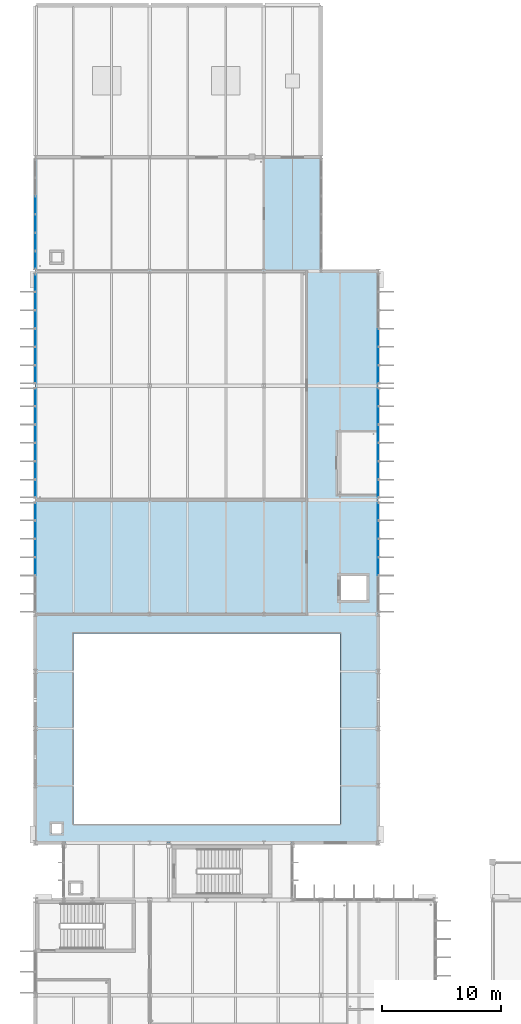
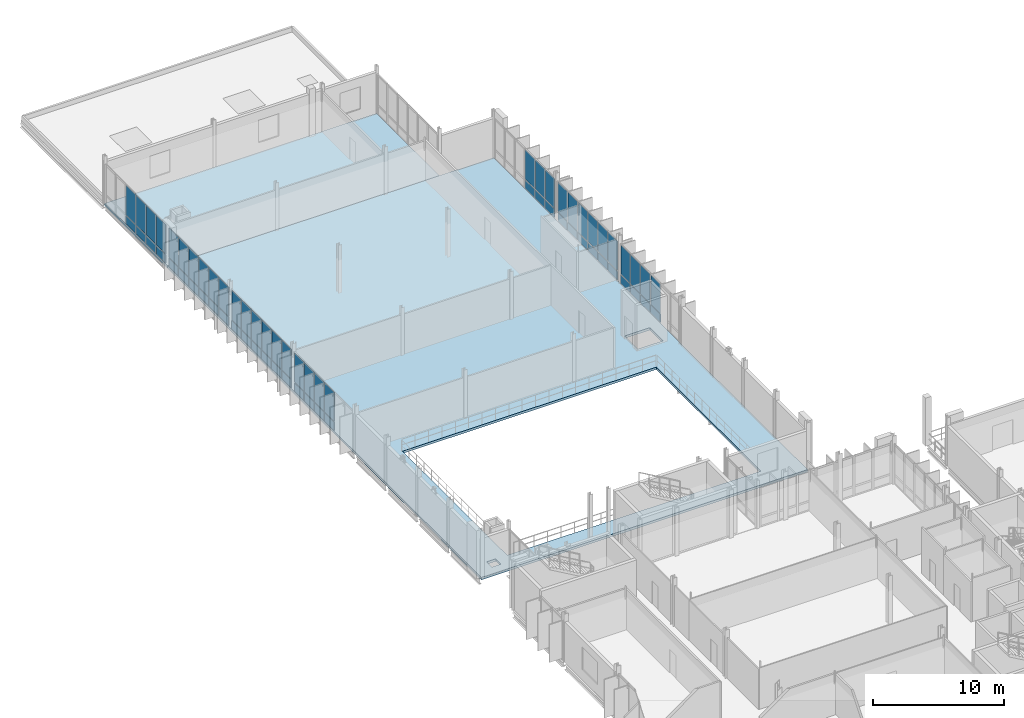
# One storey, part 51 of 107: 66 plates, 2 slabs, 7 elements without a shape of their own.
"""IFC4 building model written with IfcOpenShell, lengths in metres."""

from ifc_helpers import new_model, si_unit, direction, frame, origin, origin_2d, place, context, subcontext, project, spatial, polyline, rectangle, outline, extrude, material, layer, layer_set, type_object, element, aggregate, save


model = new_model("IFC4")

# Units and contexts
model_context = context("Model", 3, precision=1e-05, world=origin(), true_north=direction((0.0, 1.0)))
body_context = subcontext(model_context, "Body", "Model", "MODEL_VIEW")
ifc_project = project(units=[si_unit("LENGTHUNIT", "METRE"), si_unit("AREAUNIT", "SQUARE_METRE"), si_unit("VOLUMEUNIT", "CUBIC_METRE"), si_unit("PLANEANGLEUNIT", "RADIAN"), si_unit("MASSUNIT", "GRAM", prefix="KILO")], contexts=[model_context])

# Site, building, storey
site_placement = place(None, origin())
site = spatial("IfcSite", under=ifc_project, at=site_placement, CompositionType="ELEMENT")
building_placement = place(site_placement, origin())
building = spatial("IfcBuilding", under=site, at=building_placement, Name="Dunescarp Central Library", CompositionType="ELEMENT")
storey_placement = place(building_placement, frame((0.0, 0.0, 5.10009765625)))
storey = spatial("IfcBuildingStorey", under=building, at=storey_placement, Name="L01", CompositionType="ELEMENT", Elevation=5.10009765625)

# Curtain wall, plates
ifc_material_1 = material(Name="Marine-grade anodised aluminium 6063-T6", Category="aluminium")
curtain_wall_type = type_object("IfcCurtainWallType", Name="ARC-CW-STICK", PredefinedType="NOTDEFINED", material=ifc_material_1)
curtain_wall_1_placement = place(storey_placement, origin())
curtain_wall_1 = element("IfcCurtainWall", 1, at=curtain_wall_1_placement, inside=storey, type_object=curtain_wall_type, Name="L01 curtain wall CW-V4-118", PredefinedType="NOTDEFINED")
ifc_material_2 = material(Name="Solar-control laminated double glazing", Category="glass")
ifc_layer_1 = layer(ifc_material_2, 0.028076171875)
ifc_layer_set_1 = layer_set([ifc_layer_1], Name="Solar-control laminated double glazing")
plate_type_1 = type_object("IfcPlateType", Name="ARC-PLT-GLZ28", PredefinedType="CURTAIN_PANEL", material=ifc_layer_set_1)
plate_1_placement = place(storey_placement, frame((0.0, 64.8291015625, 0.93994140625), z_axis=(0.0, 0.0, 1.0), x_axis=(0.0, 1.0, 0.0)))
plate_1 = element("IfcPlate", 2, at=plate_1_placement, type_object=plate_type_1, Name="CW-V4-118 panel 3.2", PredefinedType="CURTAIN_PANEL", context=body_context, shape_type="SweptSolid", body=[
    extrude(rectangle(XDim=1.461669921875, YDim=0.028076171875, at=origin_2d()), origin(), (0.0, 0.0, 1.0), 2.7119140625),
])
plate_2_placement = place(storey_placement, frame((0.0, 66.370849609375, 0.93994140625), z_axis=(0.0, 0.0, 1.0), x_axis=(0.0, 1.0, 0.0)))
plate_2 = element("IfcPlate", 3, at=plate_2_placement, type_object=plate_type_1, Name="CW-V4-118 panel 4.2", PredefinedType="CURTAIN_PANEL", context=body_context, shape_type="SweptSolid", body=[
    extrude(rectangle(XDim=1.461669921875, YDim=0.028076171875, at=origin_2d()), origin(), (0.0, 0.0, 1.0), 2.7119140625),
])
plate_3_placement = place(storey_placement, frame((0.0, 67.91259765625, 0.93994140625), z_axis=(0.0, 0.0, 1.0), x_axis=(0.0, 1.0, 0.0)))
plate_3 = element("IfcPlate", 4, at=plate_3_placement, type_object=plate_type_1, Name="CW-V4-118 panel 5.2", PredefinedType="CURTAIN_PANEL", context=body_context, shape_type="SweptSolid", body=[
    extrude(rectangle(XDim=1.461669921875, YDim=0.028076171875, at=origin_2d()), origin(), (0.0, 0.0, 1.0), 2.7119140625),
])
plate_4_placement = place(storey_placement, frame((0.0, 69.43408203125, 0.93994140625), z_axis=(0.0, 0.0, 1.0), x_axis=(0.0, 1.0, 0.0)))
plate_4 = element("IfcPlate", 5, at=plate_4_placement, type_object=plate_type_1, Name="CW-V4-118 panel 6.2", PredefinedType="CURTAIN_PANEL", context=body_context, shape_type="SweptSolid", body=[
    extrude(rectangle(XDim=1.421630859375, YDim=0.028076171875, at=origin_2d()), origin(), (0.0, 0.0, 1.0), 2.7119140625),
])

curtain_wall_2_placement = place(storey_placement, origin())
curtain_wall_2 = element("IfcCurtainWall", 6, at=curtain_wall_2_placement, inside=storey, type_object=curtain_wall_type, Name="L01 curtain wall CW-V4-119", PredefinedType="NOTDEFINED")
plate_5_placement = place(storey_placement, frame((28.800048828125, 69.43408203125, 0.93994140625), z_axis=(0.0, 0.0, 1.0), x_axis=(0.0, -1.0, 0.0)))
plate_5 = element("IfcPlate", 7, at=plate_5_placement, type_object=plate_type_1, Name="CW-V4-119 panel 1.2", PredefinedType="CURTAIN_PANEL", context=body_context, shape_type="SweptSolid", body=[
    extrude(rectangle(XDim=1.421630859375, YDim=0.028076171875, at=origin_2d()), origin(), (0.0, 0.0, 1.0), 2.7119140625),
])
plate_6_placement = place(storey_placement, frame((28.800048828125, 67.91259765625, 0.93994140625), z_axis=(0.0, 0.0, 1.0), x_axis=(0.0, -1.0, 0.0)))
plate_6 = element("IfcPlate", 8, at=plate_6_placement, type_object=plate_type_1, Name="CW-V4-119 panel 2.2", PredefinedType="CURTAIN_PANEL", context=body_context, shape_type="SweptSolid", body=[
    extrude(rectangle(XDim=1.461669921875, YDim=0.028076171875, at=origin_2d()), origin(), (0.0, 0.0, 1.0), 2.7119140625),
])
plate_7_placement = place(storey_placement, frame((28.800048828125, 66.370849609375, 0.93994140625), z_axis=(0.0, 0.0, 1.0), x_axis=(0.0, -1.0, 0.0)))
plate_7 = element("IfcPlate", 9, at=plate_7_placement, type_object=plate_type_1, Name="CW-V4-119 panel 3.2", PredefinedType="CURTAIN_PANEL", context=body_context, shape_type="SweptSolid", body=[
    extrude(rectangle(XDim=1.461669921875, YDim=0.028076171875, at=origin_2d()), origin(), (0.0, 0.0, 1.0), 2.7119140625),
])
plate_8_placement = place(storey_placement, frame((28.800048828125, 64.8291015625, 0.93994140625), z_axis=(0.0, 0.0, 1.0), x_axis=(0.0, -1.0, 0.0)))
plate_8 = element("IfcPlate", 10, at=plate_8_placement, type_object=plate_type_1, Name="CW-V4-119 panel 4.2", PredefinedType="CURTAIN_PANEL", context=body_context, shape_type="SweptSolid", body=[
    extrude(rectangle(XDim=1.461669921875, YDim=0.028076171875, at=origin_2d()), origin(), (0.0, 0.0, 1.0), 2.7119140625),
])

curtain_wall_3_placement = place(storey_placement, origin())
curtain_wall_3 = element("IfcCurtainWall", 11, at=curtain_wall_3_placement, inside=storey, type_object=curtain_wall_type, Name="L01 curtain wall CW-V4-120", PredefinedType="NOTDEFINED")
plate_9_placement = place(storey_placement, frame((0.0, 71.36572265625, 0.93994140625), z_axis=(0.0, 0.0, 1.0), x_axis=(0.0, 1.0, 0.0)))
plate_9 = element("IfcPlate", 12, at=plate_9_placement, type_object=plate_type_1, Name="CW-V4-120 panel 1.2", PredefinedType="CURTAIN_PANEL", context=body_context, shape_type="SweptSolid", body=[
    extrude(rectangle(XDim=1.421630859375, YDim=0.028076171875, at=origin_2d()), origin(), (0.0, 0.0, 1.0), 2.7451171875),
])
plate_10_placement = place(storey_placement, frame((0.0, 72.887451171875, 0.93994140625), z_axis=(0.0, 0.0, 1.0), x_axis=(0.0, 1.0, 0.0)))
plate_10 = element("IfcPlate", 13, at=plate_10_placement, type_object=plate_type_1, Name="CW-V4-120 panel 2.2", PredefinedType="CURTAIN_PANEL", context=body_context, shape_type="SweptSolid", body=[
    extrude(rectangle(XDim=1.461669921875, YDim=0.028076171875, at=origin_2d()), origin(), (0.0, 0.0, 1.0), 2.7451171875),
])
plate_11_placement = place(storey_placement, frame((0.0, 74.42919921875, 0.93994140625), z_axis=(0.0, 0.0, 1.0), x_axis=(0.0, 1.0, 0.0)))
plate_11 = element("IfcPlate", 14, at=plate_11_placement, type_object=plate_type_1, Name="CW-V4-120 panel 3.2", PredefinedType="CURTAIN_PANEL", context=body_context, shape_type="SweptSolid", body=[
    extrude(rectangle(XDim=1.461669921875, YDim=0.028076171875, at=origin_2d()), origin(), (0.0, 0.0, 1.0), 2.7451171875),
])
plate_12_placement = place(storey_placement, frame((0.0, 75.970947265625, 0.93994140625), z_axis=(0.0, 0.0, 1.0), x_axis=(0.0, 1.0, 0.0)))
plate_12 = element("IfcPlate", 15, at=plate_12_placement, type_object=plate_type_1, Name="CW-V4-120 panel 4.2", PredefinedType="CURTAIN_PANEL", context=body_context, shape_type="SweptSolid", body=[
    extrude(rectangle(XDim=1.461669921875, YDim=0.028076171875, at=origin_2d()), origin(), (0.0, 0.0, 1.0), 2.7451171875),
])
plate_13_placement = place(storey_placement, frame((0.0, 77.512451171875, 0.93994140625), z_axis=(0.0, 0.0, 1.0), x_axis=(0.0, 1.0, 0.0)))
plate_13 = element("IfcPlate", 16, at=plate_13_placement, type_object=plate_type_1, Name="CW-V4-120 panel 5.2", PredefinedType="CURTAIN_PANEL", context=body_context, shape_type="SweptSolid", body=[
    extrude(rectangle(XDim=1.461669921875, YDim=0.028076171875, at=origin_2d()), origin(), (0.0, 0.0, 1.0), 2.7451171875),
])
plate_14_placement = place(storey_placement, frame((0.0, 79.0341796875, 0.93994140625), z_axis=(0.0, 0.0, 1.0), x_axis=(0.0, 1.0, 0.0)))
plate_14 = element("IfcPlate", 17, at=plate_14_placement, type_object=plate_type_1, Name="CW-V4-120 panel 6.2", PredefinedType="CURTAIN_PANEL", context=body_context, shape_type="SweptSolid", body=[
    extrude(rectangle(XDim=1.421630859375, YDim=0.028076171875, at=origin_2d()), origin(), (0.0, 0.0, 1.0), 2.7451171875),
])

curtain_wall_4_placement = place(storey_placement, origin())
curtain_wall_4 = element("IfcCurtainWall", 18, at=curtain_wall_4_placement, inside=storey, type_object=curtain_wall_type, Name="L01 curtain wall CW-V4-121", PredefinedType="NOTDEFINED")
plate_15_placement = place(storey_placement, frame((28.800048828125, 79.0341796875, 0.93994140625), z_axis=(0.0, 0.0, 1.0), x_axis=(0.0, -1.0, 0.0)))
plate_15 = element("IfcPlate", 19, at=plate_15_placement, type_object=plate_type_1, Name="CW-V4-121 panel 1.2", PredefinedType="CURTAIN_PANEL", context=body_context, shape_type="SweptSolid", body=[
    extrude(rectangle(XDim=1.421630859375, YDim=0.028076171875, at=origin_2d()), origin(), (0.0, 0.0, 1.0), 2.7451171875),
])
plate_16_placement = place(storey_placement, frame((28.800048828125, 77.512451171875, 0.93994140625), z_axis=(0.0, 0.0, 1.0), x_axis=(0.0, -1.0, 0.0)))
plate_16 = element("IfcPlate", 20, at=plate_16_placement, type_object=plate_type_1, Name="CW-V4-121 panel 2.2", PredefinedType="CURTAIN_PANEL", context=body_context, shape_type="SweptSolid", body=[
    extrude(rectangle(XDim=1.461669921875, YDim=0.028076171875, at=origin_2d()), origin(), (0.0, 0.0, 1.0), 2.7451171875),
])
plate_17_placement = place(storey_placement, frame((28.800048828125, 75.970947265625, 0.93994140625), z_axis=(0.0, 0.0, 1.0), x_axis=(0.0, -1.0, 0.0)))
plate_17 = element("IfcPlate", 21, at=plate_17_placement, type_object=plate_type_1, Name="CW-V4-121 panel 3.2", PredefinedType="CURTAIN_PANEL", context=body_context, shape_type="SweptSolid", body=[
    extrude(rectangle(XDim=1.461669921875, YDim=0.028076171875, at=origin_2d()), origin(), (0.0, 0.0, 1.0), 2.7451171875),
])
plate_18_placement = place(storey_placement, frame((28.800048828125, 74.42919921875, 0.93994140625), z_axis=(0.0, 0.0, 1.0), x_axis=(0.0, -1.0, 0.0)))
plate_18 = element("IfcPlate", 22, at=plate_18_placement, type_object=plate_type_1, Name="CW-V4-121 panel 4.2", PredefinedType="CURTAIN_PANEL", context=body_context, shape_type="SweptSolid", body=[
    extrude(rectangle(XDim=1.461669921875, YDim=0.028076171875, at=origin_2d()), origin(), (0.0, 0.0, 1.0), 2.7451171875),
])
plate_19_placement = place(storey_placement, frame((28.800048828125, 72.887451171875, 0.93994140625), z_axis=(0.0, 0.0, 1.0), x_axis=(0.0, -1.0, 0.0)))
plate_19 = element("IfcPlate", 23, at=plate_19_placement, type_object=plate_type_1, Name="CW-V4-121 panel 5.2", PredefinedType="CURTAIN_PANEL", context=body_context, shape_type="SweptSolid", body=[
    extrude(rectangle(XDim=1.461669921875, YDim=0.028076171875, at=origin_2d()), origin(), (0.0, 0.0, 1.0), 2.7451171875),
])
plate_20_placement = place(storey_placement, frame((28.800048828125, 71.36572265625, 0.93994140625), z_axis=(0.0, 0.0, 1.0), x_axis=(0.0, -1.0, 0.0)))
plate_20 = element("IfcPlate", 24, at=plate_20_placement, type_object=plate_type_1, Name="CW-V4-121 panel 6.2", PredefinedType="CURTAIN_PANEL", context=body_context, shape_type="SweptSolid", body=[
    extrude(rectangle(XDim=1.421630859375, YDim=0.028076171875, at=origin_2d()), origin(), (0.0, 0.0, 1.0), 2.7451171875),
])

curtain_wall_5_placement = place(storey_placement, origin())
curtain_wall_5 = element("IfcCurtainWall", 25, at=curtain_wall_5_placement, inside=storey, type_object=curtain_wall_type, Name="L01 curtain wall CW-V4-122", PredefinedType="NOTDEFINED")
plate_21_placement = place(storey_placement, frame((0.0, 80.9658203125, 0.93994140625), z_axis=(0.0, 0.0, 1.0), x_axis=(0.0, 1.0, 0.0)))
plate_21 = element("IfcPlate", 26, at=plate_21_placement, type_object=plate_type_1, Name="CW-V4-122 panel 1.2", PredefinedType="CURTAIN_PANEL", context=body_context, shape_type="SweptSolid", body=[
    extrude(rectangle(XDim=1.421630859375, YDim=0.028076171875, at=origin_2d()), origin(), (0.0, 0.0, 1.0), 2.7451171875),
])
plate_22_placement = place(storey_placement, frame((0.0, 82.487548828125, 0.93994140625), z_axis=(0.0, 0.0, 1.0), x_axis=(0.0, 1.0, 0.0)))
plate_22 = element("IfcPlate", 27, at=plate_22_placement, type_object=plate_type_1, Name="CW-V4-122 panel 2.2", PredefinedType="CURTAIN_PANEL", context=body_context, shape_type="SweptSolid", body=[
    extrude(rectangle(XDim=1.461669921875, YDim=0.028076171875, at=origin_2d()), origin(), (0.0, 0.0, 1.0), 2.7451171875),
])
plate_23_placement = place(storey_placement, frame((0.0, 84.029052734375, 0.93994140625), z_axis=(0.0, 0.0, 1.0), x_axis=(0.0, 1.0, 0.0)))
plate_23 = element("IfcPlate", 28, at=plate_23_placement, type_object=plate_type_1, Name="CW-V4-122 panel 3.2", PredefinedType="CURTAIN_PANEL", context=body_context, shape_type="SweptSolid", body=[
    extrude(rectangle(XDim=1.461669921875, YDim=0.028076171875, at=origin_2d()), origin(), (0.0, 0.0, 1.0), 2.7451171875),
])
plate_24_placement = place(storey_placement, frame((0.0, 85.57080078125, 0.93994140625), z_axis=(0.0, 0.0, 1.0), x_axis=(0.0, 1.0, 0.0)))
plate_24 = element("IfcPlate", 29, at=plate_24_placement, type_object=plate_type_1, Name="CW-V4-122 panel 4.2", PredefinedType="CURTAIN_PANEL", context=body_context, shape_type="SweptSolid", body=[
    extrude(rectangle(XDim=1.461669921875, YDim=0.028076171875, at=origin_2d()), origin(), (0.0, 0.0, 1.0), 2.7451171875),
])
plate_25_placement = place(storey_placement, frame((0.0, 87.112548828125, 0.93994140625), z_axis=(0.0, 0.0, 1.0), x_axis=(0.0, 1.0, 0.0)))
plate_25 = element("IfcPlate", 30, at=plate_25_placement, type_object=plate_type_1, Name="CW-V4-122 panel 5.2", PredefinedType="CURTAIN_PANEL", context=body_context, shape_type="SweptSolid", body=[
    extrude(rectangle(XDim=1.461669921875, YDim=0.028076171875, at=origin_2d()), origin(), (0.0, 0.0, 1.0), 2.7451171875),
])
plate_26_placement = place(storey_placement, frame((0.0, 88.63427734375, 0.93994140625), z_axis=(0.0, 0.0, 1.0), x_axis=(0.0, 1.0, 0.0)))
plate_26 = element("IfcPlate", 31, at=plate_26_placement, type_object=plate_type_1, Name="CW-V4-122 panel 6.2", PredefinedType="CURTAIN_PANEL", context=body_context, shape_type="SweptSolid", body=[
    extrude(rectangle(XDim=1.421630859375, YDim=0.028076171875, at=origin_2d()), origin(), (0.0, 0.0, 1.0), 2.7451171875),
])

curtain_wall_6_placement = place(storey_placement, origin())
curtain_wall_6 = element("IfcCurtainWall", 32, at=curtain_wall_6_placement, inside=storey, type_object=curtain_wall_type, Name="L01 curtain wall CW-V4-123", PredefinedType="NOTDEFINED")
plate_27_placement = place(storey_placement, frame((28.800048828125, 84.029052734375, 0.93994140625), z_axis=(0.0, 0.0, 1.0), x_axis=(0.0, -1.0, 0.0)))
plate_27 = element("IfcPlate", 33, at=plate_27_placement, type_object=plate_type_1, Name="CW-V4-123 panel 4.2", PredefinedType="CURTAIN_PANEL", context=body_context, shape_type="SweptSolid", body=[
    extrude(rectangle(XDim=1.461669921875, YDim=0.028076171875, at=origin_2d()), origin(), (0.0, 0.0, 1.0), 2.7451171875),
])
plate_28_placement = place(storey_placement, frame((28.800048828125, 82.487548828125, 0.93994140625), z_axis=(0.0, 0.0, 1.0), x_axis=(0.0, -1.0, 0.0)))
plate_28 = element("IfcPlate", 34, at=plate_28_placement, type_object=plate_type_1, Name="CW-V4-123 panel 5.2", PredefinedType="CURTAIN_PANEL", context=body_context, shape_type="SweptSolid", body=[
    extrude(rectangle(XDim=1.461669921875, YDim=0.028076171875, at=origin_2d()), origin(), (0.0, 0.0, 1.0), 2.7451171875),
])
plate_29_placement = place(storey_placement, frame((28.800048828125, 80.9658203125, 0.93994140625), z_axis=(0.0, 0.0, 1.0), x_axis=(0.0, -1.0, 0.0)))
plate_29 = element("IfcPlate", 35, at=plate_29_placement, type_object=plate_type_1, Name="CW-V4-123 panel 6.2", PredefinedType="CURTAIN_PANEL", context=body_context, shape_type="SweptSolid", body=[
    extrude(rectangle(XDim=1.421630859375, YDim=0.028076171875, at=origin_2d()), origin(), (0.0, 0.0, 1.0), 2.7451171875),
])

curtain_wall_7_placement = place(storey_placement, origin())
curtain_wall_7 = element("IfcCurtainWall", 36, at=curtain_wall_7_placement, inside=storey, type_object=curtain_wall_type, Name="L01 curtain wall CW-V4N-142", PredefinedType="NOTDEFINED")
plate_30_placement = place(storey_placement, frame((0.0, 90.56591796875, 0.93994140625), z_axis=(0.0, 0.0, 1.0), x_axis=(0.0, 1.0, 0.0)))
plate_30 = element("IfcPlate", 37, at=plate_30_placement, type_object=plate_type_1, Name="CW-V4N-142 panel 1.2", PredefinedType="CURTAIN_PANEL", context=body_context, shape_type="SweptSolid", body=[
    extrude(rectangle(XDim=1.421630859375, YDim=0.028076171875, at=origin_2d()), origin(), (0.0, 0.0, 1.0), 2.7451171875),
])
plate_31_placement = place(storey_placement, frame((0.0, 92.08740234375, 0.93994140625), z_axis=(0.0, 0.0, 1.0), x_axis=(0.0, 1.0, 0.0)))
plate_31 = element("IfcPlate", 38, at=plate_31_placement, type_object=plate_type_1, Name="CW-V4N-142 panel 2.2", PredefinedType="CURTAIN_PANEL", context=body_context, shape_type="SweptSolid", body=[
    extrude(rectangle(XDim=1.461669921875, YDim=0.028076171875, at=origin_2d()), origin(), (0.0, 0.0, 1.0), 2.7451171875),
])
plate_32_placement = place(storey_placement, frame((0.0, 93.629150390625, 0.93994140625), z_axis=(0.0, 0.0, 1.0), x_axis=(0.0, 1.0, 0.0)))
plate_32 = element("IfcPlate", 39, at=plate_32_placement, type_object=plate_type_1, Name="CW-V4N-142 panel 3.2", PredefinedType="CURTAIN_PANEL", context=body_context, shape_type="SweptSolid", body=[
    extrude(rectangle(XDim=1.461669921875, YDim=0.028076171875, at=origin_2d()), origin(), (0.0, 0.0, 1.0), 2.7451171875),
])
plate_33_placement = place(storey_placement, frame((0.0, 95.1708984375, 0.93994140625), z_axis=(0.0, 0.0, 1.0), x_axis=(0.0, 1.0, 0.0)))
plate_33 = element("IfcPlate", 40, at=plate_33_placement, type_object=plate_type_1, Name="CW-V4N-142 panel 4.2", PredefinedType="CURTAIN_PANEL", context=body_context, shape_type="SweptSolid", body=[
    extrude(rectangle(XDim=1.461669921875, YDim=0.028076171875, at=origin_2d()), origin(), (0.0, 0.0, 1.0), 2.7451171875),
])

# Plate
ifc_layer_2 = layer(ifc_material_1, 0.050048828125)
ifc_layer_set_2 = layer_set([ifc_layer_2], Name="Marine-grade anodised aluminium 6063-T6")
plate_type_2 = type_object("IfcPlateType", Name="ARC-PLT-SPN50", PredefinedType="SHEET", material=ifc_layer_set_2)
plate_34_placement = place(storey_placement, frame((0.0, 64.8291015625, 0.080078125), z_axis=(0.0, 0.0, 1.0), x_axis=(0.0, 1.0, 0.0)))
plate_34 = element("IfcPlate", 41, at=plate_34_placement, type_object=plate_type_2, Name="CW-V4-118 panel 3.1", PredefinedType="SHEET", context=body_context, shape_type="SweptSolid", body=[
    extrude(rectangle(XDim=1.461669921875, YDim=0.050048828125, at=origin_2d()), origin(), (0.0, 0.0, 1.0), 0.780029296875),
])

plate_35_placement = place(storey_placement, frame((0.0, 66.370849609375, 0.080078125), z_axis=(0.0, 0.0, 1.0), x_axis=(0.0, 1.0, 0.0)))
plate_35 = element("IfcPlate", 42, at=plate_35_placement, type_object=plate_type_2, Name="CW-V4-118 panel 4.1", PredefinedType="SHEET", context=body_context, shape_type="SweptSolid", body=[
    extrude(rectangle(XDim=1.461669921875, YDim=0.050048828125, at=origin_2d()), origin(), (0.0, 0.0, 1.0), 0.780029296875),
])

plate_36_placement = place(storey_placement, frame((0.0, 67.91259765625, 0.080078125), z_axis=(0.0, 0.0, 1.0), x_axis=(0.0, 1.0, 0.0)))
plate_36 = element("IfcPlate", 43, at=plate_36_placement, type_object=plate_type_2, Name="CW-V4-118 panel 5.1", PredefinedType="SHEET", context=body_context, shape_type="SweptSolid", body=[
    extrude(rectangle(XDim=1.461669921875, YDim=0.050048828125, at=origin_2d()), origin(), (0.0, 0.0, 1.0), 0.780029296875),
])

plate_37_placement = place(storey_placement, frame((0.0, 69.43408203125, 0.080078125), z_axis=(0.0, 0.0, 1.0), x_axis=(0.0, 1.0, 0.0)))
plate_37 = element("IfcPlate", 44, at=plate_37_placement, type_object=plate_type_2, Name="CW-V4-118 panel 6.1", PredefinedType="SHEET", context=body_context, shape_type="SweptSolid", body=[
    extrude(rectangle(XDim=1.421630859375, YDim=0.050048828125, at=origin_2d()), origin(), (0.0, 0.0, 1.0), 0.780029296875),
])

aggregate(curtain_wall_1, [plate_34, plate_1, plate_35, plate_2, plate_36, plate_3, plate_37, plate_4])

plate_38_placement = place(storey_placement, frame((28.800048828125, 69.43408203125, 0.080078125), z_axis=(0.0, 0.0, 1.0), x_axis=(0.0, -1.0, 0.0)))
plate_38 = element("IfcPlate", 45, at=plate_38_placement, type_object=plate_type_2, Name="CW-V4-119 panel 1.1", PredefinedType="SHEET", context=body_context, shape_type="SweptSolid", body=[
    extrude(rectangle(XDim=1.421630859375, YDim=0.050048828125, at=origin_2d()), origin(), (0.0, 0.0, 1.0), 0.780029296875),
])

plate_39_placement = place(storey_placement, frame((28.800048828125, 67.91259765625, 0.080078125), z_axis=(0.0, 0.0, 1.0), x_axis=(0.0, -1.0, 0.0)))
plate_39 = element("IfcPlate", 46, at=plate_39_placement, type_object=plate_type_2, Name="CW-V4-119 panel 2.1", PredefinedType="SHEET", context=body_context, shape_type="SweptSolid", body=[
    extrude(rectangle(XDim=1.461669921875, YDim=0.050048828125, at=origin_2d()), origin(), (0.0, 0.0, 1.0), 0.780029296875),
])

plate_40_placement = place(storey_placement, frame((28.800048828125, 66.370849609375, 0.080078125), z_axis=(0.0, 0.0, 1.0), x_axis=(0.0, -1.0, 0.0)))
plate_40 = element("IfcPlate", 47, at=plate_40_placement, type_object=plate_type_2, Name="CW-V4-119 panel 3.1", PredefinedType="SHEET", context=body_context, shape_type="SweptSolid", body=[
    extrude(rectangle(XDim=1.461669921875, YDim=0.050048828125, at=origin_2d()), origin(), (0.0, 0.0, 1.0), 0.780029296875),
])

plate_41_placement = place(storey_placement, frame((28.800048828125, 64.8291015625, 0.080078125), z_axis=(0.0, 0.0, 1.0), x_axis=(0.0, -1.0, 0.0)))
plate_41 = element("IfcPlate", 48, at=plate_41_placement, type_object=plate_type_2, Name="CW-V4-119 panel 4.1", PredefinedType="SHEET", context=body_context, shape_type="SweptSolid", body=[
    extrude(rectangle(XDim=1.461669921875, YDim=0.050048828125, at=origin_2d()), origin(), (0.0, 0.0, 1.0), 0.780029296875),
])

aggregate(curtain_wall_2, [plate_38, plate_5, plate_39, plate_6, plate_40, plate_7, plate_41, plate_8])

plate_42_placement = place(storey_placement, frame((0.0, 71.36572265625, 0.080078125), z_axis=(0.0, 0.0, 1.0), x_axis=(0.0, 1.0, 0.0)))
plate_42 = element("IfcPlate", 49, at=plate_42_placement, type_object=plate_type_2, Name="CW-V4-120 panel 1.1", PredefinedType="SHEET", context=body_context, shape_type="SweptSolid", body=[
    extrude(rectangle(XDim=1.421630859375, YDim=0.050048828125, at=origin_2d()), origin(), (0.0, 0.0, 1.0), 0.780029296875),
])

plate_43_placement = place(storey_placement, frame((0.0, 72.887451171875, 0.080078125), z_axis=(0.0, 0.0, 1.0), x_axis=(0.0, 1.0, 0.0)))
plate_43 = element("IfcPlate", 50, at=plate_43_placement, type_object=plate_type_2, Name="CW-V4-120 panel 2.1", PredefinedType="SHEET", context=body_context, shape_type="SweptSolid", body=[
    extrude(rectangle(XDim=1.461669921875, YDim=0.050048828125, at=origin_2d()), origin(), (0.0, 0.0, 1.0), 0.780029296875),
])

plate_44_placement = place(storey_placement, frame((0.0, 74.42919921875, 0.080078125), z_axis=(0.0, 0.0, 1.0), x_axis=(0.0, 1.0, 0.0)))
plate_44 = element("IfcPlate", 51, at=plate_44_placement, type_object=plate_type_2, Name="CW-V4-120 panel 3.1", PredefinedType="SHEET", context=body_context, shape_type="SweptSolid", body=[
    extrude(rectangle(XDim=1.461669921875, YDim=0.050048828125, at=origin_2d()), origin(), (0.0, 0.0, 1.0), 0.780029296875),
])

plate_45_placement = place(storey_placement, frame((0.0, 75.970947265625, 0.080078125), z_axis=(0.0, 0.0, 1.0), x_axis=(0.0, 1.0, 0.0)))
plate_45 = element("IfcPlate", 52, at=plate_45_placement, type_object=plate_type_2, Name="CW-V4-120 panel 4.1", PredefinedType="SHEET", context=body_context, shape_type="SweptSolid", body=[
    extrude(rectangle(XDim=1.461669921875, YDim=0.050048828125, at=origin_2d()), origin(), (0.0, 0.0, 1.0), 0.780029296875),
])

plate_46_placement = place(storey_placement, frame((0.0, 77.512451171875, 0.080078125), z_axis=(0.0, 0.0, 1.0), x_axis=(0.0, 1.0, 0.0)))
plate_46 = element("IfcPlate", 53, at=plate_46_placement, type_object=plate_type_2, Name="CW-V4-120 panel 5.1", PredefinedType="SHEET", context=body_context, shape_type="SweptSolid", body=[
    extrude(rectangle(XDim=1.461669921875, YDim=0.050048828125, at=origin_2d()), origin(), (0.0, 0.0, 1.0), 0.780029296875),
])

plate_47_placement = place(storey_placement, frame((0.0, 79.0341796875, 0.080078125), z_axis=(0.0, 0.0, 1.0), x_axis=(0.0, 1.0, 0.0)))
plate_47 = element("IfcPlate", 54, at=plate_47_placement, type_object=plate_type_2, Name="CW-V4-120 panel 6.1", PredefinedType="SHEET", context=body_context, shape_type="SweptSolid", body=[
    extrude(rectangle(XDim=1.421630859375, YDim=0.050048828125, at=origin_2d()), origin(), (0.0, 0.0, 1.0), 0.780029296875),
])

aggregate(curtain_wall_3, [plate_42, plate_9, plate_43, plate_10, plate_44, plate_11, plate_45, plate_12, plate_46, plate_13, plate_47, plate_14])

plate_48_placement = place(storey_placement, frame((28.800048828125, 79.0341796875, 0.080078125), z_axis=(0.0, 0.0, 1.0), x_axis=(0.0, -1.0, 0.0)))
plate_48 = element("IfcPlate", 55, at=plate_48_placement, type_object=plate_type_2, Name="CW-V4-121 panel 1.1", PredefinedType="SHEET", context=body_context, shape_type="SweptSolid", body=[
    extrude(rectangle(XDim=1.421630859375, YDim=0.050048828125, at=origin_2d()), origin(), (0.0, 0.0, 1.0), 0.780029296875),
])

plate_49_placement = place(storey_placement, frame((28.800048828125, 77.512451171875, 0.080078125), z_axis=(0.0, 0.0, 1.0), x_axis=(0.0, -1.0, 0.0)))
plate_49 = element("IfcPlate", 56, at=plate_49_placement, type_object=plate_type_2, Name="CW-V4-121 panel 2.1", PredefinedType="SHEET", context=body_context, shape_type="SweptSolid", body=[
    extrude(rectangle(XDim=1.461669921875, YDim=0.050048828125, at=origin_2d()), origin(), (0.0, 0.0, 1.0), 0.780029296875),
])

plate_50_placement = place(storey_placement, frame((28.800048828125, 75.970947265625, 0.080078125), z_axis=(0.0, 0.0, 1.0), x_axis=(0.0, -1.0, 0.0)))
plate_50 = element("IfcPlate", 57, at=plate_50_placement, type_object=plate_type_2, Name="CW-V4-121 panel 3.1", PredefinedType="SHEET", context=body_context, shape_type="SweptSolid", body=[
    extrude(rectangle(XDim=1.461669921875, YDim=0.050048828125, at=origin_2d()), origin(), (0.0, 0.0, 1.0), 0.780029296875),
])

plate_51_placement = place(storey_placement, frame((28.800048828125, 74.42919921875, 0.080078125), z_axis=(0.0, 0.0, 1.0), x_axis=(0.0, -1.0, 0.0)))
plate_51 = element("IfcPlate", 58, at=plate_51_placement, type_object=plate_type_2, Name="CW-V4-121 panel 4.1", PredefinedType="SHEET", context=body_context, shape_type="SweptSolid", body=[
    extrude(rectangle(XDim=1.461669921875, YDim=0.050048828125, at=origin_2d()), origin(), (0.0, 0.0, 1.0), 0.780029296875),
])

plate_52_placement = place(storey_placement, frame((28.800048828125, 72.887451171875, 0.080078125), z_axis=(0.0, 0.0, 1.0), x_axis=(0.0, -1.0, 0.0)))
plate_52 = element("IfcPlate", 59, at=plate_52_placement, type_object=plate_type_2, Name="CW-V4-121 panel 5.1", PredefinedType="SHEET", context=body_context, shape_type="SweptSolid", body=[
    extrude(rectangle(XDim=1.461669921875, YDim=0.050048828125, at=origin_2d()), origin(), (0.0, 0.0, 1.0), 0.780029296875),
])

plate_53_placement = place(storey_placement, frame((28.800048828125, 71.36572265625, 0.080078125), z_axis=(0.0, 0.0, 1.0), x_axis=(0.0, -1.0, 0.0)))
plate_53 = element("IfcPlate", 60, at=plate_53_placement, type_object=plate_type_2, Name="CW-V4-121 panel 6.1", PredefinedType="SHEET", context=body_context, shape_type="SweptSolid", body=[
    extrude(rectangle(XDim=1.421630859375, YDim=0.050048828125, at=origin_2d()), origin(), (0.0, 0.0, 1.0), 0.780029296875),
])

aggregate(curtain_wall_4, [plate_48, plate_15, plate_49, plate_16, plate_50, plate_17, plate_51, plate_18, plate_52, plate_19, plate_53, plate_20])

plate_54_placement = place(storey_placement, frame((0.0, 80.9658203125, 0.080078125), z_axis=(0.0, 0.0, 1.0), x_axis=(0.0, 1.0, 0.0)))
plate_54 = element("IfcPlate", 61, at=plate_54_placement, type_object=plate_type_2, Name="CW-V4-122 panel 1.1", PredefinedType="SHEET", context=body_context, shape_type="SweptSolid", body=[
    extrude(rectangle(XDim=1.421630859375, YDim=0.050048828125, at=origin_2d()), origin(), (0.0, 0.0, 1.0), 0.780029296875),
])

plate_55_placement = place(storey_placement, frame((0.0, 82.487548828125, 0.080078125), z_axis=(0.0, 0.0, 1.0), x_axis=(0.0, 1.0, 0.0)))
plate_55 = element("IfcPlate", 62, at=plate_55_placement, type_object=plate_type_2, Name="CW-V4-122 panel 2.1", PredefinedType="SHEET", context=body_context, shape_type="SweptSolid", body=[
    extrude(rectangle(XDim=1.461669921875, YDim=0.050048828125, at=origin_2d()), origin(), (0.0, 0.0, 1.0), 0.780029296875),
])

plate_56_placement = place(storey_placement, frame((0.0, 84.029052734375, 0.080078125), z_axis=(0.0, 0.0, 1.0), x_axis=(0.0, 1.0, 0.0)))
plate_56 = element("IfcPlate", 63, at=plate_56_placement, type_object=plate_type_2, Name="CW-V4-122 panel 3.1", PredefinedType="SHEET", context=body_context, shape_type="SweptSolid", body=[
    extrude(rectangle(XDim=1.461669921875, YDim=0.050048828125, at=origin_2d()), origin(), (0.0, 0.0, 1.0), 0.780029296875),
])

plate_57_placement = place(storey_placement, frame((0.0, 85.57080078125, 0.080078125), z_axis=(0.0, 0.0, 1.0), x_axis=(0.0, 1.0, 0.0)))
plate_57 = element("IfcPlate", 64, at=plate_57_placement, type_object=plate_type_2, Name="CW-V4-122 panel 4.1", PredefinedType="SHEET", context=body_context, shape_type="SweptSolid", body=[
    extrude(rectangle(XDim=1.461669921875, YDim=0.050048828125, at=origin_2d()), origin(), (0.0, 0.0, 1.0), 0.780029296875),
])

plate_58_placement = place(storey_placement, frame((0.0, 87.112548828125, 0.080078125), z_axis=(0.0, 0.0, 1.0), x_axis=(0.0, 1.0, 0.0)))
plate_58 = element("IfcPlate", 65, at=plate_58_placement, type_object=plate_type_2, Name="CW-V4-122 panel 5.1", PredefinedType="SHEET", context=body_context, shape_type="SweptSolid", body=[
    extrude(rectangle(XDim=1.461669921875, YDim=0.050048828125, at=origin_2d()), origin(), (0.0, 0.0, 1.0), 0.780029296875),
])

plate_59_placement = place(storey_placement, frame((0.0, 88.63427734375, 0.080078125), z_axis=(0.0, 0.0, 1.0), x_axis=(0.0, 1.0, 0.0)))
plate_59 = element("IfcPlate", 66, at=plate_59_placement, type_object=plate_type_2, Name="CW-V4-122 panel 6.1", PredefinedType="SHEET", context=body_context, shape_type="SweptSolid", body=[
    extrude(rectangle(XDim=1.421630859375, YDim=0.050048828125, at=origin_2d()), origin(), (0.0, 0.0, 1.0), 0.780029296875),
])

aggregate(curtain_wall_5, [plate_54, plate_21, plate_55, plate_22, plate_56, plate_23, plate_57, plate_24, plate_58, plate_25, plate_59, plate_26])

plate_60_placement = place(storey_placement, frame((28.800048828125, 84.029052734375, 0.080078125), z_axis=(0.0, 0.0, 1.0), x_axis=(0.0, -1.0, 0.0)))
plate_60 = element("IfcPlate", 67, at=plate_60_placement, type_object=plate_type_2, Name="CW-V4-123 panel 4.1", PredefinedType="SHEET", context=body_context, shape_type="SweptSolid", body=[
    extrude(rectangle(XDim=1.461669921875, YDim=0.050048828125, at=origin_2d()), origin(), (0.0, 0.0, 1.0), 0.780029296875),
])

plate_61_placement = place(storey_placement, frame((28.800048828125, 82.487548828125, 0.080078125), z_axis=(0.0, 0.0, 1.0), x_axis=(0.0, -1.0, 0.0)))
plate_61 = element("IfcPlate", 68, at=plate_61_placement, type_object=plate_type_2, Name="CW-V4-123 panel 5.1", PredefinedType="SHEET", context=body_context, shape_type="SweptSolid", body=[
    extrude(rectangle(XDim=1.461669921875, YDim=0.050048828125, at=origin_2d()), origin(), (0.0, 0.0, 1.0), 0.780029296875),
])

plate_62_placement = place(storey_placement, frame((28.800048828125, 80.9658203125, 0.080078125), z_axis=(0.0, 0.0, 1.0), x_axis=(0.0, -1.0, 0.0)))
plate_62 = element("IfcPlate", 69, at=plate_62_placement, type_object=plate_type_2, Name="CW-V4-123 panel 6.1", PredefinedType="SHEET", context=body_context, shape_type="SweptSolid", body=[
    extrude(rectangle(XDim=1.421630859375, YDim=0.050048828125, at=origin_2d()), origin(), (0.0, 0.0, 1.0), 0.780029296875),
])

aggregate(curtain_wall_6, [plate_60, plate_27, plate_61, plate_28, plate_62, plate_29])

plate_63_placement = place(storey_placement, frame((0.0, 90.56591796875, 0.080078125), z_axis=(0.0, 0.0, 1.0), x_axis=(0.0, 1.0, 0.0)))
plate_63 = element("IfcPlate", 70, at=plate_63_placement, type_object=plate_type_2, Name="CW-V4N-142 panel 1.1", PredefinedType="SHEET", context=body_context, shape_type="SweptSolid", body=[
    extrude(rectangle(XDim=1.421630859375, YDim=0.050048828125, at=origin_2d()), origin(), (0.0, 0.0, 1.0), 0.780029296875),
])

plate_64_placement = place(storey_placement, frame((0.0, 92.08740234375, 0.080078125), z_axis=(0.0, 0.0, 1.0), x_axis=(0.0, 1.0, 0.0)))
plate_64 = element("IfcPlate", 71, at=plate_64_placement, type_object=plate_type_2, Name="CW-V4N-142 panel 2.1", PredefinedType="SHEET", context=body_context, shape_type="SweptSolid", body=[
    extrude(rectangle(XDim=1.461669921875, YDim=0.050048828125, at=origin_2d()), origin(), (0.0, 0.0, 1.0), 0.780029296875),
])

plate_65_placement = place(storey_placement, frame((0.0, 93.629150390625, 0.080078125), z_axis=(0.0, 0.0, 1.0), x_axis=(0.0, 1.0, 0.0)))
plate_65 = element("IfcPlate", 72, at=plate_65_placement, type_object=plate_type_2, Name="CW-V4N-142 panel 3.1", PredefinedType="SHEET", context=body_context, shape_type="SweptSolid", body=[
    extrude(rectangle(XDim=1.461669921875, YDim=0.050048828125, at=origin_2d()), origin(), (0.0, 0.0, 1.0), 0.780029296875),
])

plate_66_placement = place(storey_placement, frame((0.0, 95.1708984375, 0.080078125), z_axis=(0.0, 0.0, 1.0), x_axis=(0.0, 1.0, 0.0)))
plate_66 = element("IfcPlate", 73, at=plate_66_placement, type_object=plate_type_2, Name="CW-V4N-142 panel 4.1", PredefinedType="SHEET", context=body_context, shape_type="SweptSolid", body=[
    extrude(rectangle(XDim=1.461669921875, YDim=0.050048828125, at=origin_2d()), origin(), (0.0, 0.0, 1.0), 0.780029296875),
])

aggregate(curtain_wall_7, [plate_63, plate_30, plate_64, plate_31, plate_65, plate_32, plate_66, plate_33])

# Slabs
ifc_material_3 = material(Name="Concrete C35/45", Category="concrete")
ifc_layer_3 = layer(ifc_material_3, 0.219970703125)
ifc_layer_set_3 = layer_set([ifc_layer_3], Name="Concrete C35/45")
slab_type = type_object("IfcSlabType", Name="STR-SLB-STACK220", PredefinedType="FLOOR", material=ifc_layer_set_3)
slab_1_placement = place(storey_placement, frame((0.0, 0.0, -0.22021484375)))
element("IfcSlab", 74, at=slab_1_placement, inside=storey, type_object=slab_type, Name="L01 V4 slab", PredefinedType="FLOOR", context=body_context, shape_type="SweptSolid", body=[
    extrude(outline(polyline([(0.0, 41.60009765625), (28.800048828125, 41.60009765625), (28.800048828125, 89.60009765625), (0.0, 89.60009765625), (0.0, 41.60009765625)]), holes=[polyline([(25.60009765625, 62.0), (27.800048828125, 62.0), (27.800048828125, 64.0), (25.60009765625, 64.0), (25.60009765625, 62.0)]), polyline([(3.199951171875, 43.199951171875), (25.60009765625, 43.199951171875), (25.60009765625, 59.199951171875), (3.199951171875, 59.199951171875), (3.199951171875, 43.199951171875)]), polyline([(1.39990234375, 42.39990234375), (2.199951171875, 42.39990234375), (2.199951171875, 43.199951171875), (1.39990234375, 43.199951171875), (1.39990234375, 42.39990234375)])]), origin(), (0.0, 0.0, 1.0), 0.22021484375),
])
slab_2_placement = place(storey_placement, frame((0.0, 0.0, -0.22021484375)))
element("IfcSlab", 75, at=slab_2_placement, inside=storey, type_object=slab_type, Name="L01 V4N slab", PredefinedType="FLOOR", context=body_context, shape_type="SweptSolid", body=[
    extrude(outline(polyline([(0.0, 89.60009765625), (24.0, 89.60009765625), (24.0, 99.199951171875), (0.0, 99.199951171875), (0.0, 89.60009765625)]), holes=[polyline([(1.39990234375, 90.39990234375), (2.199951171875, 90.39990234375), (2.199951171875, 91.199951171875), (1.39990234375, 91.199951171875), (1.39990234375, 90.39990234375)])]), origin(), (0.0, 0.0, 1.0), 0.22021484375),
])

save(model, "model.ifc")
